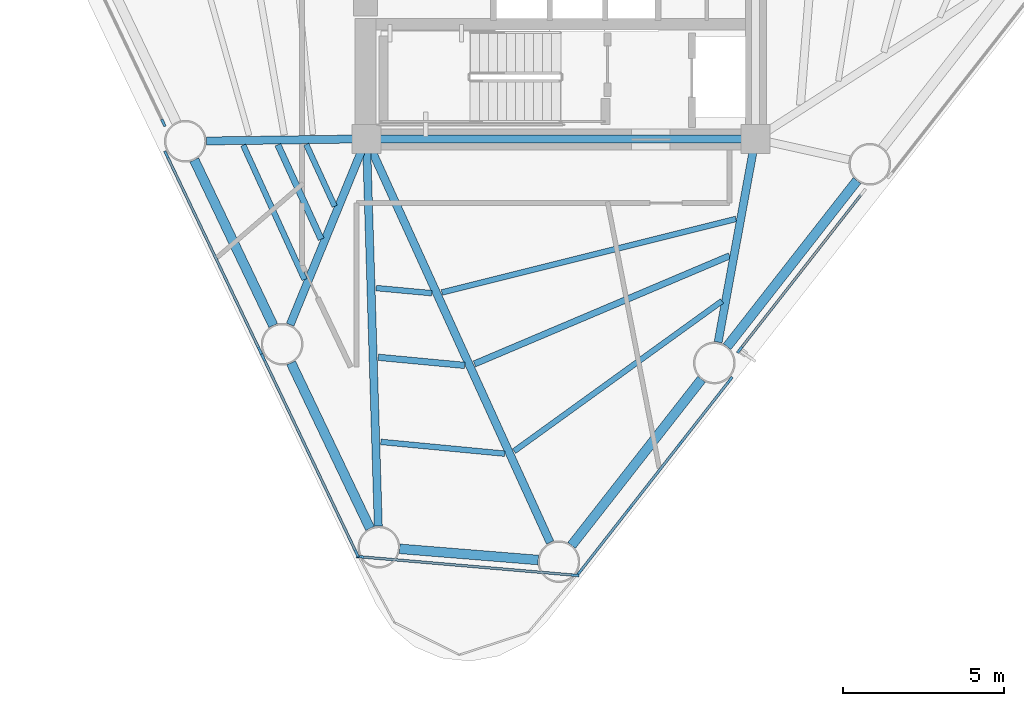
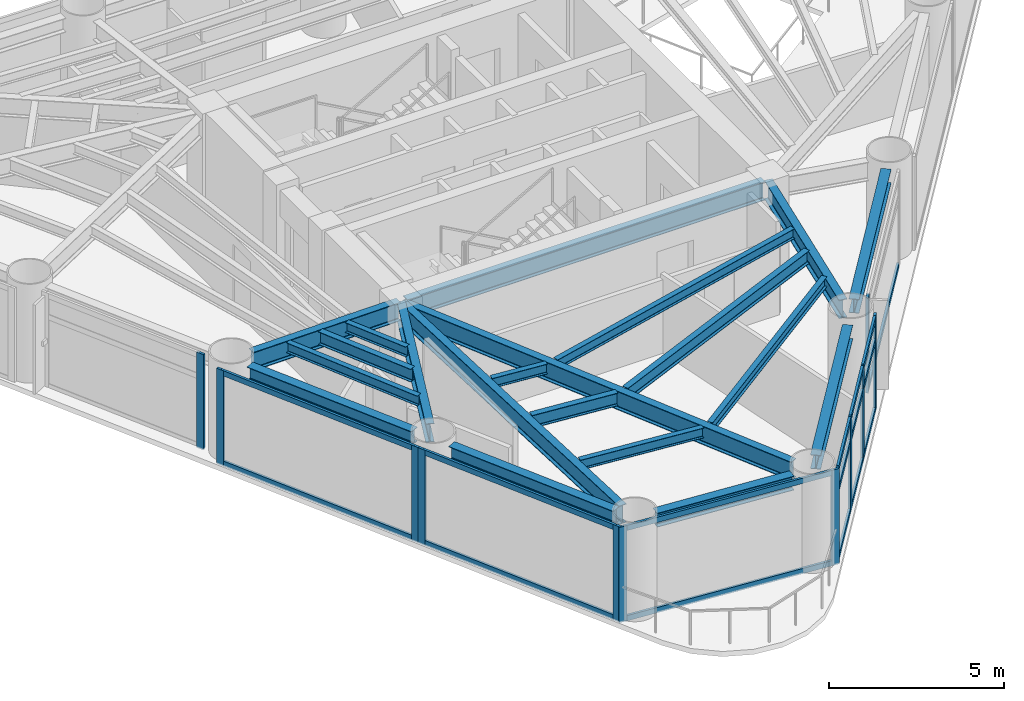
# One storey, part 2 of 11: 28 members, 20 beams, 6 elements without a shape of their own.
"""IFC4 building model written with IfcOpenShell, lengths in metres."""

from ifc_helpers import new_model, si_unit, direction, frame, origin, origin_2d, place, context, subcontext, project, spatial, rectangle, i_section, extrude, source, transform, mapped, material, layer, layer_set, material_profile, profile_set, type_object, element, aggregate, save


model = new_model("IFC4")

# Units and contexts
model_context = context("Model", 3, precision=1e-05, world=origin(), true_north=direction((0.0, 1.0)))
body_context = subcontext(model_context, "Body", "Model", "MODEL_VIEW")
ifc_project = project(units=[si_unit("LENGTHUNIT", "METRE"), si_unit("AREAUNIT", "SQUARE_METRE"), si_unit("VOLUMEUNIT", "CUBIC_METRE"), si_unit("PLANEANGLEUNIT", "RADIAN"), si_unit("MASSUNIT", "GRAM", prefix="KILO")], contexts=[model_context])

# Site, building, storey
site_placement = place(None, origin())
site = spatial("IfcSite", under=ifc_project, at=site_placement, CompositionType="ELEMENT")
building_placement = place(site_placement, origin())
building = spatial("IfcBuilding", under=site, at=building_placement, Name="Yunling Apex Tower", CompositionType="ELEMENT")
storey_placement = place(building_placement, frame((0.0, 0.0, 150.199951171875)))
storey = spatial("IfcBuildingStorey", under=building, at=storey_placement, Name="L37", CompositionType="ELEMENT", Elevation=150.199951171875)

# Beams
ifc_material_1 = material(Name="Steel Q355B", Category="steel")
ifc_material_profile_1 = material_profile(ifc_material_1, i_section(OverallWidth=0.25, OverallDepth=0.64990234375, WebThickness=0.011962890625, FlangeThickness=0.02001953125, FilletRadius=0.02392578125, at=origin_2d()))
ifc_profile_set_1 = profile_set([ifc_material_profile_1], Name="Steel Q355B")
beam_type_1 = type_object("IfcBeamType", Name="BG-PRI-4", PredefinedType="USERDEFINED", material=ifc_profile_set_1)
shared_shape_1 = source(origin(), body_context, "Body", "SweptSolid", [
    extrude(i_section(OverallWidth=0.25, OverallDepth=0.64990234375, WebThickness=0.011962890625, FlangeThickness=0.02001953125, FilletRadius=0.02392578125, at=origin_2d()), origin(), (0.0, 0.0, 1.0), 11.7998046875),
])
beam_1_placement = place(storey_placement, frame((-5.89990234375, -5.5, 2.905029296875), z_axis=(1.0, 0.0, 0.0), x_axis=(0.0, 1.0, 0.0)))
element("IfcBeam", 1, at=beam_1_placement, inside=storey, type_object=beam_type_1, Name="L37 Core Ring Tie Beam 1", ObjectType="GIRDER", PredefinedType="USERDEFINED", context=body_context, shape_type="MappedRepresentation", body=[
    mapped(shared_shape_1, transform((0.0, 0.0, 0.0), scale=1.0)),
])
ifc_material_profile_2 = material_profile(ifc_material_1, i_section(OverallWidth=0.300048828125, OverallDepth=0.489990234375, WebThickness=0.010986328125, FlangeThickness=0.01806640625, FilletRadius=0.02197265625, at=origin_2d()))
ifc_profile_set_2 = profile_set([ifc_material_profile_2], Name="Steel Q355B")
beam_type_2 = type_object("IfcBeamType", Name="BP-SPN-2", PredefinedType="SPANDREL", material=ifc_profile_set_2)
shared_shape_2 = source(origin(), body_context, "Body", "SweptSolid", [
    extrude(i_section(OverallWidth=0.300048828125, OverallDepth=0.489990234375, WebThickness=0.010986328125, FlangeThickness=0.01806640625, FilletRadius=0.02197265625, at=origin_2d()), origin(), (0.0, 0.0, 1.0), 6.562255859375),
])
for number, where, z_axis, x_axis, name in (
    (2, (0.332763671875, -18.147216796875, 2.985107421875), (0.616214963059, 0.787578008392, 0.0), (-0.787578008392, 0.616214963059, 0.0), "L37 Perimeter Spandrel Beam 1"),
    (3, (5.170166015625, -11.964599609375, 2.985107421875), (0.616214963059, 0.787578008392, 0.0), (-0.787578008392, 0.616214963059, 0.0), "L37 Perimeter Spandrel Beam 2"),
):
    element("IfcBeam", number, at=place(storey_placement, frame(where, z_axis=z_axis, x_axis=x_axis)), inside=storey, type_object=beam_type_2, Name=name, PredefinedType="SPANDREL", context=body_context, shape_type="MappedRepresentation", body=[
        mapped(shared_shape_2, transform((0.0, 0.0, 0.0), scale=1.0)),
    ])
shared_shape_3 = source(origin(), body_context, "Body", "SweptSolid", [
    extrude(i_section(OverallWidth=0.300048828125, OverallDepth=0.489990234375, WebThickness=0.010986328125, FlangeThickness=0.01806640625, FilletRadius=0.02197265625, at=origin_2d()), origin(), (0.0, 0.0, 1.0), 5.707763671875),
])
for number, where, z_axis, x_axis, name in (
    (4, (-11.407958984375, -6.15478515625, 2.985107421875), (0.430522919645, -0.902579645051, 0.0), (0.902579645051, 0.430522919645, 0.0), "L37 Perimeter Spandrel Beam 13"),
    (5, (-8.396240234375, -12.468994140625, 2.985107421875), (0.430522919645, -0.902579645051, 0.0), (0.902579645051, 0.430522919645, 0.0), "L37 Perimeter Spandrel Beam 14"),
):
    element("IfcBeam", number, at=place(storey_placement, frame(where, z_axis=z_axis, x_axis=x_axis)), inside=storey, type_object=beam_type_2, Name=name, PredefinedType="SPANDREL", context=body_context, shape_type="MappedRepresentation", body=[
        mapped(shared_shape_3, transform((0.0, 0.0, 0.0), scale=1.0)),
    ])
shared_shape_4 = source(origin(), body_context, "Body", "SweptSolid", [
    extrude(i_section(OverallWidth=0.300048828125, OverallDepth=0.489990234375, WebThickness=0.010986328125, FlangeThickness=0.01806640625, FilletRadius=0.02197265625, at=origin_2d()), origin(), (0.0, 0.0, 1.0), 4.328369140625),
])
beam_2_placement = place(storey_placement, frame((-5.02001953125, -18.25390625, 2.985107421875), z_axis=(0.996750747621, -0.08054779399, 0.0), x_axis=(0.08054779399, 0.996750747621, 0.0)))
element("IfcBeam", 6, at=beam_2_placement, inside=storey, type_object=beam_type_2, Name="L37 Perimeter Spandrel Beam 15", PredefinedType="SPANDREL", context=body_context, shape_type="MappedRepresentation", body=[
    mapped(shared_shape_4, transform((0.0, 0.0, 0.0), scale=1.0)),
])
shared_shape_5 = source(origin(), body_context, "Body", "SweptSolid", [
    extrude(i_section(OverallWidth=0.25, OverallDepth=0.64990234375, WebThickness=0.011962890625, FlangeThickness=0.02001953125, FilletRadius=0.02392578125, at=origin_2d()), origin(), (0.0, 0.0, 1.0), 13.714599609375),
])
beam_3_placement = place(storey_placement, frame((-0.33642578125, -18.0556640625, 2.905029296875), z_axis=(-0.414187834577, 0.910191429145, 0.0), x_axis=(-0.910191429145, -0.414187834577, 0.0)))
element("IfcBeam", 7, at=beam_3_placement, inside=storey, type_object=beam_type_1, Name="L37 Radial Primary Girder R01", ObjectType="GIRDER", PredefinedType="USERDEFINED", context=body_context, shape_type="MappedRepresentation", body=[
    mapped(shared_shape_5, transform((0.0, 0.0, 0.0), scale=1.0)),
])
shared_shape_6 = source(origin(), body_context, "Body", "SweptSolid", [
    extrude(i_section(OverallWidth=0.25, OverallDepth=0.64990234375, WebThickness=0.011962890625, FlangeThickness=0.02001953125, FilletRadius=0.02392578125, at=origin_2d()), origin(), (0.0, 0.0, 1.0), 6.349853515625),
])
beam_4_placement = place(storey_placement, frame((4.891845703125, -11.82470703125, 2.905029296875), z_axis=(0.18012699938, 0.983643362248, 0.0), x_axis=(-0.983643362248, 0.18012699938, 0.0)))
element("IfcBeam", 8, at=beam_4_placement, inside=storey, type_object=beam_type_1, Name="L37 Radial Primary Girder R02", ObjectType="GIRDER", PredefinedType="USERDEFINED", context=body_context, shape_type="MappedRepresentation", body=[
    mapped(shared_shape_6, transform((0.0, 0.0, 0.0), scale=1.0)),
])
shared_shape_7 = source(origin(), body_context, "Body", "SweptSolid", [
    extrude(i_section(OverallWidth=0.25, OverallDepth=0.64990234375, WebThickness=0.011962890625, FlangeThickness=0.02001953125, FilletRadius=0.02392578125, at=origin_2d()), origin(), (0.0, 0.0, 1.0), 4.89794921875),
])
beam_5_placement = place(storey_placement, frame((-11.02734375, -5.56494140625, 2.905029296875), z_axis=(0.999914718433, 0.0130597037, 0.0), x_axis=(-0.0130597037, 0.999914718433, 0.0)))
element("IfcBeam", 9, at=beam_5_placement, inside=storey, type_object=beam_type_1, Name="L37 Radial Primary Girder R13", ObjectType="GIRDER", PredefinedType="USERDEFINED", context=body_context, shape_type="MappedRepresentation", body=[
    mapped(shared_shape_7, transform((0.0, 0.0, 0.0), scale=1.0)),
])
shared_shape_8 = source(origin(), body_context, "Body", "SweptSolid", [
    extrude(i_section(OverallWidth=0.25, OverallDepth=0.64990234375, WebThickness=0.011962890625, FlangeThickness=0.02001953125, FilletRadius=0.02392578125, at=origin_2d()), origin(), (0.0, 0.0, 1.0), 6.16748046875),
])
beam_6_placement = place(storey_placement, frame((-8.423583984375, -11.279052734375, 2.905029296875), z_axis=(0.379933370098, 0.925013856267, 0.0), x_axis=(-0.925013856267, 0.379933370098, 0.0)))
element("IfcBeam", 10, at=beam_6_placement, inside=storey, type_object=beam_type_1, Name="L37 Radial Primary Girder R14", ObjectType="GIRDER", PredefinedType="USERDEFINED", context=body_context, shape_type="MappedRepresentation", body=[
    mapped(shared_shape_8, transform((0.0, 0.0, 0.0), scale=1.0)),
])
shared_shape_9 = source(origin(), body_context, "Body", "SweptSolid", [
    extrude(i_section(OverallWidth=0.25, OverallDepth=0.64990234375, WebThickness=0.011962890625, FlangeThickness=0.02001953125, FilletRadius=0.02392578125, at=origin_2d()), origin(), (0.0, 0.0, 1.0), 11.9697265625),
])
beam_7_placement = place(storey_placement, frame((-5.681884765625, -17.544189453125, 2.905029296875), z_axis=(-0.030554037514, 0.999533116406, 0.0), x_axis=(-0.999533116406, -0.030554037514, 0.0)))
element("IfcBeam", 11, at=beam_7_placement, inside=storey, type_object=beam_type_1, Name="L37 Radial Primary Girder R15", ObjectType="GIRDER", PredefinedType="USERDEFINED", context=body_context, shape_type="MappedRepresentation", body=[
    mapped(shared_shape_9, transform((0.0, 0.0, 0.0), scale=1.0)),
])
ifc_material_profile_3 = material_profile(ifc_material_1, i_section(OverallWidth=0.199951171875, OverallDepth=0.449951171875, WebThickness=0.009033203125, FlangeThickness=0.013916015625, FilletRadius=0.01806640625, at=origin_2d()))
ifc_profile_set_3 = profile_set([ifc_material_profile_3], Name="Steel Q355B")
beam_type_3 = type_object("IfcBeamType", Name="BS-SEC-3", PredefinedType="BEAM", material=ifc_profile_set_3)
shared_shape_10 = source(origin(), body_context, "Body", "SweptSolid", [
    extrude(i_section(OverallWidth=0.199951171875, OverallDepth=0.449951171875, WebThickness=0.009033203125, FlangeThickness=0.013916015625, FilletRadius=0.01806640625, at=origin_2d()), origin(), (0.0, 0.0, 1.0), 8.618896484375),
])
beam_8_placement = place(storey_placement, frame((-2.6884765625, -12.500732421875, 3.005126953125), z_axis=(0.920793969751, 0.390049311332, 0.0), x_axis=(-0.390049311332, 0.920793969751, 0.0)))
element("IfcBeam", 12, at=beam_8_placement, inside=storey, type_object=beam_type_3, Name="L37 Composite Floor Beam BS-1", PredefinedType="BEAM", context=body_context, shape_type="MappedRepresentation", body=[
    mapped(shared_shape_10, transform((0.0, 0.0, 0.0), scale=1.0)),
])
ifc_material_profile_4 = material_profile(ifc_material_1, i_section(OverallWidth=0.175048828125, OverallDepth=0.35009765625, WebThickness=0.007080078125, FlangeThickness=0.010986328125, FilletRadius=0.013916015625, at=origin_2d()))
ifc_profile_set_4 = profile_set([ifc_material_profile_4], Name="Steel Q355B")
beam_type_4 = type_object("IfcBeamType", Name="BJ-JST-1", PredefinedType="JOIST", material=ifc_profile_set_4)
shared_shape_11 = source(origin(), body_context, "Body", "SweptSolid", [
    extrude(i_section(OverallWidth=0.175048828125, OverallDepth=0.35009765625, WebThickness=0.007080078125, FlangeThickness=0.010986328125, FilletRadius=0.013916015625, at=origin_2d()), origin(), (0.0, 0.0, 1.0), 7.98046875),
])
beam_9_placement = place(storey_placement, frame((-1.45654296875, -15.2158203125, 3.054931640625), z_axis=(0.81075666384, 0.585383320602, 0.0), x_axis=(-0.585383320602, 0.81075666384, 0.0)))
element("IfcBeam", 13, at=beam_9_placement, inside=storey, type_object=beam_type_4, Name="L37 Composite Floor Joist BJ1-1", PredefinedType="JOIST", context=body_context, shape_type="MappedRepresentation", body=[
    mapped(shared_shape_11, transform((0.0, 0.0, 0.0), scale=1.0)),
])
shared_shape_12 = source(origin(), body_context, "Body", "SweptSolid", [
    extrude(i_section(OverallWidth=0.175048828125, OverallDepth=0.35009765625, WebThickness=0.007080078125, FlangeThickness=0.010986328125, FilletRadius=0.013916015625, at=origin_2d()), origin(), (0.0, 0.0, 1.0), 9.430419921875),
])
beam_10_placement = place(storey_placement, frame((-3.703125, -10.277587890625, 3.054931640625), z_axis=(0.970157726952, 0.242474709682, 0.0), x_axis=(-0.242474709682, 0.970157726952, 0.0)))
element("IfcBeam", 14, at=beam_10_placement, inside=storey, type_object=beam_type_4, Name="L37 Composite Floor Joist BJ3-1", PredefinedType="JOIST", context=body_context, shape_type="MappedRepresentation", body=[
    mapped(shared_shape_12, transform((0.0, 0.0, 0.0), scale=1.0)),
])
shared_shape_13 = source(origin(), body_context, "Body", "SweptSolid", [
    extrude(i_section(OverallWidth=0.199951171875, OverallDepth=0.449951171875, WebThickness=0.009033203125, FlangeThickness=0.013916015625, FilletRadius=0.01806640625, at=origin_2d()), origin(), (0.0, 0.0, 1.0), 3.234619140625),
])
beam_11_placement = place(storey_placement, frame((-8.805908203125, -5.682373046875, 3.005126953125), z_axis=(0.416337611841, -0.909210092864, 0.0), x_axis=(0.909210092864, 0.416337611841, 0.0)))
element("IfcBeam", 15, at=beam_11_placement, inside=storey, type_object=beam_type_3, Name="L37 Composite Floor Beam BS-13", PredefinedType="BEAM", context=body_context, shape_type="MappedRepresentation", body=[
    mapped(shared_shape_13, transform((0.0, 0.0, 0.0), scale=1.0)),
])
shared_shape_14 = source(origin(), body_context, "Body", "SweptSolid", [
    extrude(i_section(OverallWidth=0.175048828125, OverallDepth=0.35009765625, WebThickness=0.007080078125, FlangeThickness=0.010986328125, FilletRadius=0.013916015625, at=origin_2d()), origin(), (0.0, 0.0, 1.0), 4.596923828125),
])
beam_12_placement = place(storey_placement, frame((-9.883544921875, -5.696533203125, 3.054931640625), z_axis=(0.415258909569, -0.909703269217, 0.0), x_axis=(0.909703269217, 0.415258909569, 0.0)))
element("IfcBeam", 16, at=beam_12_placement, inside=storey, type_object=beam_type_4, Name="L37 Composite Floor Joist BJ1-13", PredefinedType="JOIST", context=body_context, shape_type="MappedRepresentation", body=[
    mapped(shared_shape_14, transform((0.0, 0.0, 0.0), scale=1.0)),
])
shared_shape_15 = source(origin(), body_context, "Body", "SweptSolid", [
    extrude(i_section(OverallWidth=0.175048828125, OverallDepth=0.35009765625, WebThickness=0.007080078125, FlangeThickness=0.010986328125, FilletRadius=0.013916015625, at=origin_2d()), origin(), (0.0, 0.0, 1.0), 2.1201171875),
])
beam_13_placement = place(storey_placement, frame((-7.924072265625, -5.670654296875, 3.054931640625), z_axis=(0.418101376265, -0.908400373825, 0.0), x_axis=(0.908400373825, 0.418101376265, 0.0)))
element("IfcBeam", 17, at=beam_13_placement, inside=storey, type_object=beam_type_4, Name="L37 Composite Floor Joist BJ3-13", PredefinedType="JOIST", context=body_context, shape_type="MappedRepresentation", body=[
    mapped(shared_shape_15, transform((0.0, 0.0, 0.0), scale=1.0)),
])
shared_shape_16 = source(origin(), body_context, "Body", "SweptSolid", [
    extrude(i_section(OverallWidth=0.199951171875, OverallDepth=0.449951171875, WebThickness=0.009033203125, FlangeThickness=0.013916015625, FilletRadius=0.01806640625, at=origin_2d()), origin(), (0.0, 0.0, 1.0), 2.700439453125),
])
beam_14_placement = place(storey_placement, frame((-5.68359375, -12.294921875, 3.005126953125), z_axis=(0.995595280091, -0.09375520391, 0.0), x_axis=(0.09375520391, 0.995595280091, 0.0)))
element("IfcBeam", 18, at=beam_14_placement, inside=storey, type_object=beam_type_3, Name="L37 Composite Floor Beam BS-15", PredefinedType="BEAM", context=body_context, shape_type="MappedRepresentation", body=[
    mapped(shared_shape_16, transform((0.0, 0.0, 0.0), scale=1.0)),
])
shared_shape_17 = source(origin(), body_context, "Body", "SweptSolid", [
    extrude(i_section(OverallWidth=0.175048828125, OverallDepth=0.35009765625, WebThickness=0.007080078125, FlangeThickness=0.010986328125, FilletRadius=0.013916015625, at=origin_2d()), origin(), (0.0, 0.0, 1.0), 3.874755859375),
])
beam_15_placement = place(storey_placement, frame((-5.60302734375, -14.92724609375, 3.054931640625), z_axis=(0.995505944035, -0.094699078094, 0.0), x_axis=(0.094699078094, 0.995505944035, 0.0)))
element("IfcBeam", 19, at=beam_15_placement, inside=storey, type_object=beam_type_4, Name="L37 Composite Floor Joist BJ1-15", PredefinedType="JOIST", context=body_context, shape_type="MappedRepresentation", body=[
    mapped(shared_shape_17, transform((0.0, 0.0, 0.0), scale=1.0)),
])
shared_shape_18 = source(origin(), body_context, "Body", "SweptSolid", [
    extrude(i_section(OverallWidth=0.175048828125, OverallDepth=0.35009765625, WebThickness=0.007080078125, FlangeThickness=0.010986328125, FilletRadius=0.013916015625, at=origin_2d()), origin(), (0.0, 0.0, 1.0), 1.739013671875),
])
beam_16_placement = place(storey_placement, frame((-5.749267578125, -10.14111328125, 3.054931640625), z_axis=(0.995737570839, -0.092231719166, 0.0), x_axis=(0.092231719166, 0.995737570839, 0.0)))
element("IfcBeam", 20, at=beam_16_placement, inside=storey, type_object=beam_type_4, Name="L37 Composite Floor Joist BJ3-15", PredefinedType="JOIST", context=body_context, shape_type="MappedRepresentation", body=[
    mapped(shared_shape_18, transform((0.0, 0.0, 0.0), scale=1.0)),
])

# Curtain wall, members
ifc_material_2 = material(Name="Bronze anodised aluminium", Category="aluminium")
ifc_layer = layer(ifc_material_2, 0.239990234375)
ifc_layer_set = layer_set([ifc_layer], Name="Bronze anodised aluminium")
curtain_wall_type = type_object("IfcCurtainWallType", Name="CW-SYS-3", PredefinedType="NOTDEFINED", material=ifc_layer_set)
curtain_wall_1_placement = place(storey_placement, origin())
curtain_wall_1 = element("IfcCurtainWall", 21, at=curtain_wall_1_placement, inside=storey, type_object=curtain_wall_type, Name="CW-L37-F1-B1", PredefinedType="NOTDEFINED")
ifc_material_profile_5 = material_profile(ifc_material_2, rectangle(XDim=0.080078125, YDim=0.18505859375, at=origin_2d()))
ifc_profile_set_5 = profile_set([ifc_material_profile_5], Name="Bronze anodised aluminium")
member_type_1 = type_object("IfcMemberType", Name="CW-TRN-3", PredefinedType="USERDEFINED", material=ifc_profile_set_5)
shared_shape_19 = source(origin(), body_context, "Body", "SweptSolid", [
    extrude(rectangle(XDim=0.080078125, YDim=0.18505859375, at=origin_2d()), origin(), (0.0, 0.0, 1.0), 2.451416015625),
])
member_1_placement = place(storey_placement, frame((0.59130859375, -18.96923828125, 0.0400390625), z_axis=(0.616192781155, 0.787595363402, 0.0), x_axis=(-0.787595363402, 0.616192781155, 0.0)))
member_1 = element("IfcMember", 22, at=member_1_placement, type_object=member_type_1, Name="CW-SYS-3 transom 1.1", ObjectType="TRANSOM", PredefinedType="USERDEFINED", context=body_context, shape_type="MappedRepresentation", body=[
    mapped(shared_shape_19, transform((0.0, 0.0, 0.0), scale=1.0)),
])
member_2_placement = place(storey_placement, frame((0.59130859375, -18.96923828125, 2.454833984375), z_axis=(0.616192781155, 0.787595363402, 0.0), x_axis=(-0.787595363402, 0.616192781155, 0.0)))
member_2 = element("IfcMember", 23, at=member_2_placement, type_object=member_type_1, Name="CW-SYS-3 transom 1.2", ObjectType="TRANSOM", PredefinedType="USERDEFINED", context=body_context, shape_type="MappedRepresentation", body=[
    mapped(shared_shape_19, transform((0.0, 0.0, 0.0), scale=1.0)),
])
member_3_placement = place(storey_placement, frame((0.59130859375, -18.96923828125, 3.18994140625), z_axis=(0.616192781155, 0.787595363402, 0.0), x_axis=(-0.787595363402, 0.616192781155, 0.0)))
member_3 = element("IfcMember", 24, at=member_3_placement, type_object=member_type_1, Name="CW-SYS-3 transom 1.3", ObjectType="TRANSOM", PredefinedType="USERDEFINED", context=body_context, shape_type="MappedRepresentation", body=[
    mapped(shared_shape_19, transform((0.0, 0.0, 0.0), scale=1.0)),
])
member_4_placement = place(storey_placement, frame((3.725830078125, -14.962890625, 0.0400390625), z_axis=(0.616192781155, 0.787595363402, 0.0), x_axis=(-0.787595363402, 0.616192781155, 0.0)))
member_4 = element("IfcMember", 25, at=member_4_placement, type_object=member_type_1, Name="CW-SYS-3 transom 3.1", ObjectType="TRANSOM", PredefinedType="USERDEFINED", context=body_context, shape_type="MappedRepresentation", body=[
    mapped(shared_shape_19, transform((0.0, 0.0, 0.0), scale=1.0)),
])
member_5_placement = place(storey_placement, frame((3.725830078125, -14.962890625, 2.454833984375), z_axis=(0.616192781155, 0.787595363402, 0.0), x_axis=(-0.787595363402, 0.616192781155, 0.0)))
member_5 = element("IfcMember", 26, at=member_5_placement, type_object=member_type_1, Name="CW-SYS-3 transom 3.2", ObjectType="TRANSOM", PredefinedType="USERDEFINED", context=body_context, shape_type="MappedRepresentation", body=[
    mapped(shared_shape_19, transform((0.0, 0.0, 0.0), scale=1.0)),
])
member_6_placement = place(storey_placement, frame((3.725830078125, -14.962890625, 3.18994140625), z_axis=(0.616192781155, 0.787595363402, 0.0), x_axis=(-0.787595363402, 0.616192781155, 0.0)))
member_6 = element("IfcMember", 27, at=member_6_placement, type_object=member_type_1, Name="CW-SYS-3 transom 3.3", ObjectType="TRANSOM", PredefinedType="USERDEFINED", context=body_context, shape_type="MappedRepresentation", body=[
    mapped(shared_shape_19, transform((0.0, 0.0, 0.0), scale=1.0)),
])
shared_shape_20 = source(origin(), body_context, "Body", "SweptSolid", [
    extrude(rectangle(XDim=0.080078125, YDim=0.18505859375, at=origin_2d()), origin(), (0.0, 0.0, 1.0), 2.491455078125),
])
member_7_placement = place(storey_placement, frame((2.146240234375, -16.981689453125, 0.0400390625), z_axis=(0.616197277936, 0.787591845225, 0.0), x_axis=(-0.787591845225, 0.616197277936, 0.0)))
member_7 = element("IfcMember", 28, at=member_7_placement, type_object=member_type_1, Name="CW-SYS-3 transom 2.1", ObjectType="TRANSOM", PredefinedType="USERDEFINED", context=body_context, shape_type="MappedRepresentation", body=[
    mapped(shared_shape_20, transform((0.0, 0.0, 0.0), scale=1.0)),
])
member_8_placement = place(storey_placement, frame((2.146240234375, -16.981689453125, 2.454833984375), z_axis=(0.616197277936, 0.787591845225, 0.0), x_axis=(-0.787591845225, 0.616197277936, 0.0)))
member_8 = element("IfcMember", 29, at=member_8_placement, type_object=member_type_1, Name="CW-SYS-3 transom 2.2", ObjectType="TRANSOM", PredefinedType="USERDEFINED", context=body_context, shape_type="MappedRepresentation", body=[
    mapped(shared_shape_20, transform((0.0, 0.0, 0.0), scale=1.0)),
])
member_9_placement = place(storey_placement, frame((2.146240234375, -16.981689453125, 3.18994140625), z_axis=(0.616197277936, 0.787591845225, 0.0), x_axis=(-0.787591845225, 0.616197277936, 0.0)))
member_9 = element("IfcMember", 30, at=member_9_placement, type_object=member_type_1, Name="CW-SYS-3 transom 2.3", ObjectType="TRANSOM", PredefinedType="USERDEFINED", context=body_context, shape_type="MappedRepresentation", body=[
    mapped(shared_shape_20, transform((0.0, 0.0, 0.0), scale=1.0)),
])

# Curtain wall, member
curtain_wall_2_placement = place(storey_placement, origin())
curtain_wall_2 = element("IfcCurtainWall", 31, at=curtain_wall_2_placement, inside=storey, type_object=curtain_wall_type, Name="CW-L37-F1-B2", PredefinedType="NOTDEFINED")
shared_shape_21 = source(origin(), body_context, "Body", "SweptSolid", [
    extrude(rectangle(XDim=0.080078125, YDim=0.18505859375, at=origin_2d()), origin(), (0.0, 0.0, 1.0), 6.158203125),
])
member_10_placement = place(storey_placement, frame((5.5859375, -12.03369140625, 0.0400390625), z_axis=(0.616202427613, 0.787587816185, 0.0), x_axis=(-0.787587816185, 0.616202427613, 0.0)))
member_10 = element("IfcMember", 32, at=member_10_placement, type_object=member_type_1, Name="CW-SYS-3 transom 1.1", ObjectType="TRANSOM", PredefinedType="USERDEFINED", context=body_context, shape_type="MappedRepresentation", body=[
    mapped(shared_shape_21, transform((0.0, 0.0, 0.0), scale=1.0)),
])

# Curtain wall, members
curtain_wall_3_placement = place(storey_placement, origin())
curtain_wall_3 = element("IfcCurtainWall", 33, at=curtain_wall_3_placement, inside=storey, type_object=curtain_wall_type, Name="CW-L37-F3-B3", PredefinedType="NOTDEFINED")
shared_shape_22 = source(origin(), body_context, "Body", "SweptSolid", [
    extrude(rectangle(XDim=0.080078125, YDim=0.18505859375, at=origin_2d()), origin(), (0.0, 0.0, 1.0), 6.68359375),
])
member_11_placement = place(storey_placement, frame((-12.2587890625, -6.02001953125, 0.0400390625), z_axis=(0.430493585609, -0.902593636555, 0.0), x_axis=(0.902593636555, 0.430493585609, 0.0)))
member_11 = element("IfcMember", 34, at=member_11_placement, type_object=member_type_1, Name="CW-SYS-3 transom 1.1", ObjectType="TRANSOM", PredefinedType="USERDEFINED", context=body_context, shape_type="MappedRepresentation", body=[
    mapped(shared_shape_22, transform((0.0, 0.0, 0.0), scale=1.0)),
])
member_12_placement = place(storey_placement, frame((-12.2587890625, -6.02001953125, 3.18994140625), z_axis=(0.430493585609, -0.902593636555, 0.0), x_axis=(0.902593636555, 0.430493585609, 0.0)))
member_12 = element("IfcMember", 35, at=member_12_placement, type_object=member_type_1, Name="CW-SYS-3 transom 1.2", ObjectType="TRANSOM", PredefinedType="USERDEFINED", context=body_context, shape_type="MappedRepresentation", body=[
    mapped(shared_shape_22, transform((0.0, 0.0, 0.0), scale=1.0)),
])

curtain_wall_4_placement = place(storey_placement, origin())
curtain_wall_4 = element("IfcCurtainWall", 36, at=curtain_wall_4_placement, inside=storey, type_object=curtain_wall_type, Name="CW-L37-F3-B4", PredefinedType="NOTDEFINED")
member_13_placement = place(storey_placement, frame((-9.2470703125, -12.334228515625, 0.0400390625), z_axis=(0.430493585609, -0.902593636555, 0.0), x_axis=(0.902593636555, 0.430493585609, 0.0)))
member_13 = element("IfcMember", 37, at=member_13_placement, type_object=member_type_1, Name="CW-SYS-3 transom 1.1", ObjectType="TRANSOM", PredefinedType="USERDEFINED", context=body_context, shape_type="MappedRepresentation", body=[
    mapped(shared_shape_22, transform((0.0, 0.0, 0.0), scale=1.0)),
])
member_14_placement = place(storey_placement, frame((-9.2470703125, -12.334228515625, 3.18994140625), z_axis=(0.430493585609, -0.902593636555, 0.0), x_axis=(0.902593636555, 0.430493585609, 0.0)))
member_14 = element("IfcMember", 38, at=member_14_placement, type_object=member_type_1, Name="CW-SYS-3 transom 1.2", ObjectType="TRANSOM", PredefinedType="USERDEFINED", context=body_context, shape_type="MappedRepresentation", body=[
    mapped(shared_shape_22, transform((0.0, 0.0, 0.0), scale=1.0)),
])

curtain_wall_5_placement = place(storey_placement, origin())
curtain_wall_5 = element("IfcCurtainWall", 39, at=curtain_wall_5_placement, inside=storey, type_object=curtain_wall_type, Name="CW-L37-CRN3", PredefinedType="NOTDEFINED")
shared_shape_23 = source(origin(), body_context, "Body", "SweptSolid", [
    extrude(rectangle(XDim=0.080078125, YDim=0.18505859375, at=origin_2d()), origin(), (0.0, 0.0, 1.0), 6.63720703125),
])
member_15_placement = place(storey_placement, frame((-6.208984375, -18.50537109375, 0.0400390625), z_axis=(0.996333043608, -0.085559723083, 0.0), x_axis=(0.085559723083, 0.996333043608, 0.0)))
member_15 = element("IfcMember", 40, at=member_15_placement, type_object=member_type_1, Name="CW-SYS-3 transom 1.1", ObjectType="TRANSOM", PredefinedType="USERDEFINED", context=body_context, shape_type="MappedRepresentation", body=[
    mapped(shared_shape_23, transform((0.0, 0.0, 0.0), scale=1.0)),
])
member_16_placement = place(storey_placement, frame((-6.208984375, -18.50537109375, 3.18994140625), z_axis=(0.996333043608, -0.085559723083, 0.0), x_axis=(0.085559723083, 0.996333043608, 0.0)))
member_16 = element("IfcMember", 41, at=member_16_placement, type_object=member_type_1, Name="CW-SYS-3 transom 1.2", ObjectType="TRANSOM", PredefinedType="USERDEFINED", context=body_context, shape_type="MappedRepresentation", body=[
    mapped(shared_shape_23, transform((0.0, 0.0, 0.0), scale=1.0)),
])

# Member
ifc_material_profile_6 = material_profile(ifc_material_2, rectangle(XDim=0.080078125, YDim=0.239990234375, at=origin_2d()))
ifc_profile_set_6 = profile_set([ifc_material_profile_6], Name="Bronze anodised aluminium")
member_type_2 = type_object("IfcMemberType", Name="CW-MUL-3", PredefinedType="MULLION", material=ifc_profile_set_6)
shared_shape_24 = source(origin(), body_context, "Body", "SweptSolid", [
    extrude(rectangle(XDim=0.080078125, YDim=0.239990234375, at=origin_2d()), origin(), (0.0, 0.0, 1.0), 3.330078125),
])
member_17_placement = place(storey_placement, frame((0.569091796875, -18.99755859375, -0.050048828125), z_axis=(0.0, 0.0, 1.0), x_axis=(-0.787583748686, 0.616207626377, 0.0)))
member_17 = element("IfcMember", 42, at=member_17_placement, type_object=member_type_2, Name="CW-SYS-3 mullion 1", PredefinedType="MULLION", context=body_context, shape_type="MappedRepresentation", body=[
    mapped(shared_shape_24, transform((0.0, 0.0, 0.0), scale=1.0)),
])

member_18_placement = place(storey_placement, frame((2.1240234375, -17.01025390625, -0.050048828125), z_axis=(0.0, 0.0, 1.0), x_axis=(-0.787583748686, 0.616207626377, 0.0)))
member_18 = element("IfcMember", 43, at=member_18_placement, type_object=member_type_2, Name="CW-SYS-3 mullion 2", PredefinedType="MULLION", context=body_context, shape_type="MappedRepresentation", body=[
    mapped(shared_shape_24, transform((0.0, 0.0, 0.0), scale=1.0)),
])

member_19_placement = place(storey_placement, frame((3.70361328125, -14.9912109375, -0.050048828125), z_axis=(0.0, 0.0, 1.0), x_axis=(-0.787583748686, 0.616207626377, 0.0)))
member_19 = element("IfcMember", 44, at=member_19_placement, type_object=member_type_2, Name="CW-SYS-3 mullion 3", PredefinedType="MULLION", context=body_context, shape_type="MappedRepresentation", body=[
    mapped(shared_shape_24, transform((0.0, 0.0, 0.0), scale=1.0)),
])

member_20_placement = place(storey_placement, frame((5.258544921875, -13.00390625, -0.050048828125), z_axis=(0.0, 0.0, 1.0), x_axis=(-0.787583748686, 0.616207626377, 0.0)))
member_20 = element("IfcMember", 45, at=member_20_placement, type_object=member_type_2, Name="CW-SYS-3 mullion 4", PredefinedType="MULLION", context=body_context, shape_type="MappedRepresentation", body=[
    mapped(shared_shape_24, transform((0.0, 0.0, 0.0), scale=1.0)),
])

aggregate(curtain_wall_1, [member_17, member_18, member_19, member_20, member_1, member_2, member_3, member_7, member_8, member_9, member_4, member_5, member_6])

member_21_placement = place(storey_placement, frame((5.56396484375, -12.06201171875, -0.050048828125), z_axis=(0.0, 0.0, 1.0), x_axis=(-0.787590269126, 0.616199292419, 0.0)))
member_21 = element("IfcMember", 46, at=member_21_placement, type_object=member_type_2, Name="CW-SYS-3 mullion 1", PredefinedType="MULLION", context=body_context, shape_type="MappedRepresentation", body=[
    mapped(shared_shape_24, transform((0.0, 0.0, 0.0), scale=1.0)),
])

aggregate(curtain_wall_2, [member_21, member_10])

# Curtain wall, member
curtain_wall_6_placement = place(storey_placement, origin())
curtain_wall_6 = element("IfcCurtainWall", 47, at=curtain_wall_6_placement, inside=storey, type_object=curtain_wall_type, Name="CW-L37-F3-B2", PredefinedType="NOTDEFINED")
member_22_placement = place(storey_placement, frame((-12.36767578125, -5.001708984375, -0.050048828125), z_axis=(0.0, 0.0, 1.0), x_axis=(0.902579794247, 0.430522606859, 0.0)))
member_22 = element("IfcMember", 48, at=member_22_placement, type_object=member_type_2, Name="CW-SYS-3 mullion 2", PredefinedType="MULLION", context=body_context, shape_type="MappedRepresentation", body=[
    mapped(shared_shape_24, transform((0.0, 0.0, 0.0), scale=1.0)),
])
aggregate(curtain_wall_6, [member_22])

# Member
member_23_placement = place(storey_placement, frame((-12.274169921875, -5.987548828125, -0.050048828125), z_axis=(0.0, 0.0, 1.0), x_axis=(0.902593449526, 0.430493977743, 0.0)))
member_23 = element("IfcMember", 49, at=member_23_placement, type_object=member_type_2, Name="CW-SYS-3 mullion 1", PredefinedType="MULLION", context=body_context, shape_type="MappedRepresentation", body=[
    mapped(shared_shape_24, transform((0.0, 0.0, 0.0), scale=1.0)),
])

member_24_placement = place(storey_placement, frame((-9.365966796875, -12.085205078125, -0.050048828125), z_axis=(0.0, 0.0, 1.0), x_axis=(0.902593449526, 0.430493977743, 0.0)))
member_24 = element("IfcMember", 50, at=member_24_placement, type_object=member_type_2, Name="CW-SYS-3 mullion 2", PredefinedType="MULLION", context=body_context, shape_type="MappedRepresentation", body=[
    mapped(shared_shape_24, transform((0.0, 0.0, 0.0), scale=1.0)),
])

aggregate(curtain_wall_3, [member_23, member_24, member_11, member_12])

member_25_placement = place(storey_placement, frame((-9.2626953125, -12.3017578125, -0.050048828125), z_axis=(0.0, 0.0, 1.0), x_axis=(0.902585053788, 0.430511580192, 0.0)))
member_25 = element("IfcMember", 51, at=member_25_placement, type_object=member_type_2, Name="CW-SYS-3 mullion 1", PredefinedType="MULLION", context=body_context, shape_type="MappedRepresentation", body=[
    mapped(shared_shape_24, transform((0.0, 0.0, 0.0), scale=1.0)),
])

member_26_placement = place(storey_placement, frame((-6.354248046875, -18.399169921875, -0.050048828125), z_axis=(0.0, 0.0, 1.0), x_axis=(0.902585053788, 0.430511580192, 0.0)))
member_26 = element("IfcMember", 52, at=member_26_placement, type_object=member_type_2, Name="CW-SYS-3 mullion 2", PredefinedType="MULLION", context=body_context, shape_type="MappedRepresentation", body=[
    mapped(shared_shape_24, transform((0.0, 0.0, 0.0), scale=1.0)),
])

aggregate(curtain_wall_4, [member_25, member_26, member_13, member_14])

member_27_placement = place(storey_placement, frame((-6.24462890625, -18.50244140625, -0.050048828125), z_axis=(0.0, 0.0, 1.0), x_axis=(0.085550287883, 0.996333853808, 0.0)))
member_27 = element("IfcMember", 53, at=member_27_placement, type_object=member_type_2, Name="CW-SYS-3 mullion 1", PredefinedType="MULLION", context=body_context, shape_type="MappedRepresentation", body=[
    mapped(shared_shape_24, transform((0.0, 0.0, 0.0), scale=1.0)),
])

member_28_placement = place(storey_placement, frame((0.439697265625, -19.076171875, -0.050048828125), z_axis=(0.0, 0.0, 1.0), x_axis=(0.085550287883, 0.996333853808, 0.0)))
member_28 = element("IfcMember", 54, at=member_28_placement, type_object=member_type_2, Name="CW-SYS-3 mullion 2", PredefinedType="MULLION", context=body_context, shape_type="MappedRepresentation", body=[
    mapped(shared_shape_24, transform((0.0, 0.0, 0.0), scale=1.0)),
])

aggregate(curtain_wall_5, [member_27, member_28, member_15, member_16])

save(model, "model.ifc")
